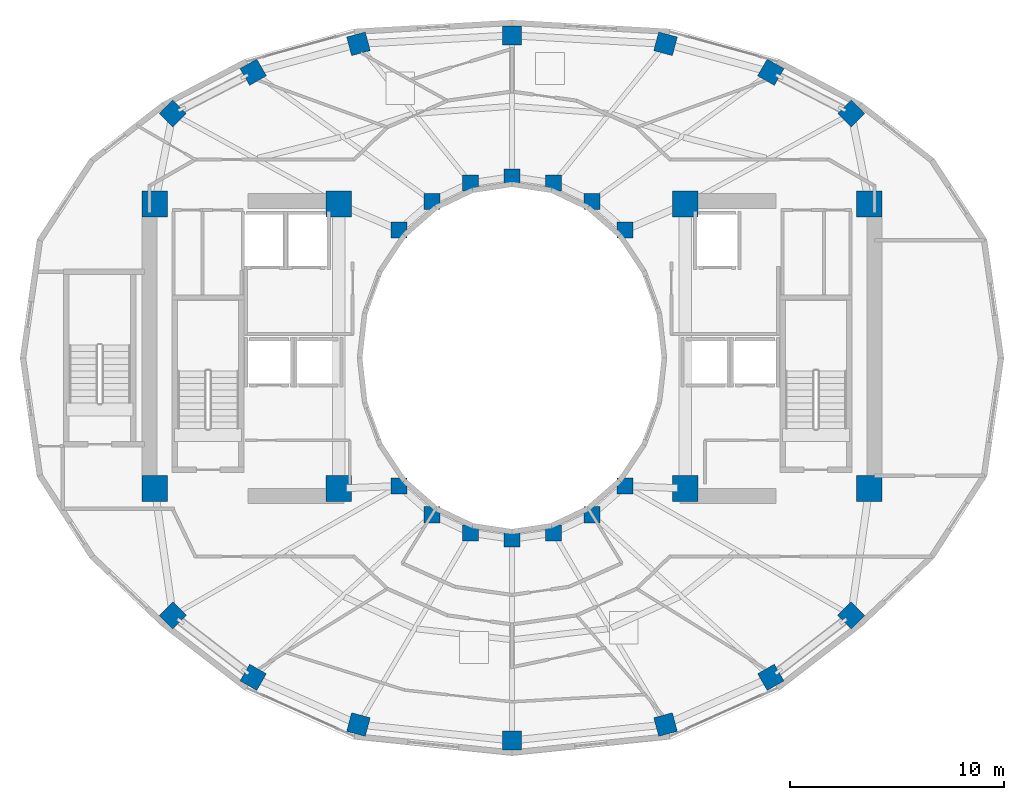
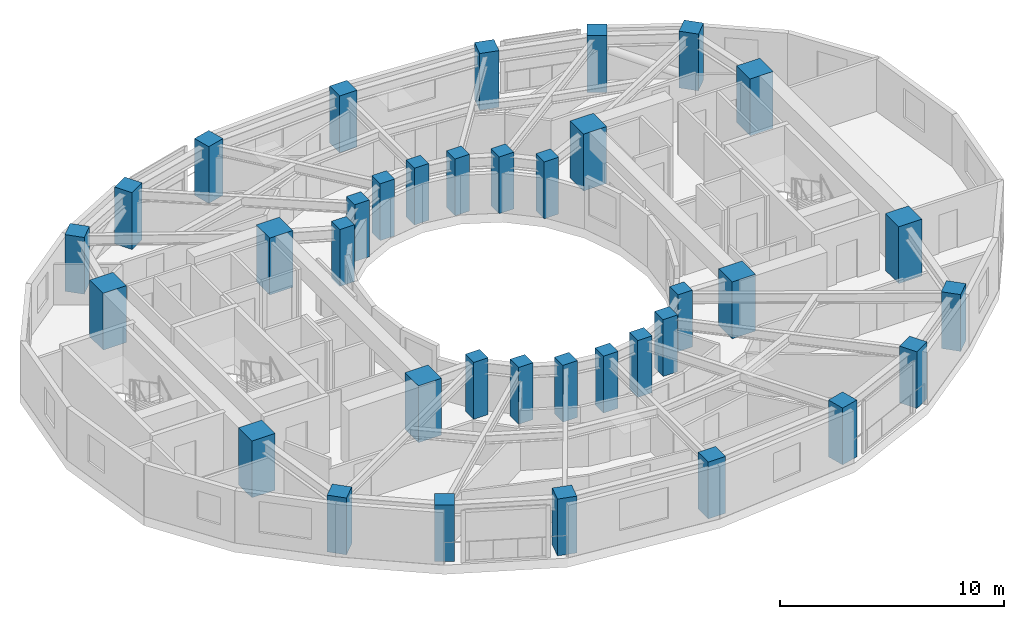
# One storey, part 1 of 17: 36 columns.
"""IFC4 building model written with IfcOpenShell, lengths in metres."""

from ifc_helpers import new_model, si_unit, direction, frame, origin, origin_2d, place, context, subcontext, project, spatial, rectangle, extrude, material, material_profile, profile_set, type_object, element, save


model = new_model("IFC4")

# Units and contexts
model_context = context("Model", 3, precision=1e-05, world=origin(), true_north=direction((0.0, 1.0)))
body_context = subcontext(model_context, "Body", "Model", "MODEL_VIEW")
ifc_project = project(units=[si_unit("LENGTHUNIT", "METRE"), si_unit("AREAUNIT", "SQUARE_METRE"), si_unit("VOLUMEUNIT", "CUBIC_METRE"), si_unit("PLANEANGLEUNIT", "RADIAN"), si_unit("MASSUNIT", "GRAM", prefix="KILO")], contexts=[model_context])

# Site, building, storey
site_placement = place(None, origin())
site = spatial("IfcSite", under=ifc_project, at=site_placement, CompositionType="ELEMENT")
building_placement = place(site_placement, origin())
building = spatial("IfcBuilding", under=site, at=building_placement, Name="Solvane Sanctuary Tower", CompositionType="ELEMENT")
storey_placement = place(building_placement, frame((0.0, 0.0, 171.5)))
storey = spatial("IfcBuildingStorey", under=building, at=storey_placement, Name="L52", CompositionType="ELEMENT", Elevation=171.5)

# Columns
ifc_material_1 = material(Name="Concrete C50/60", Category="concrete")
ifc_material_profile_1 = material_profile(ifc_material_1, rectangle(XDim=0.75, YDim=0.75, at=origin_2d()), Name="RC750X750")
ifc_profile_set_1 = profile_set([ifc_material_profile_1], Name="Concrete C50/60")
column_type_1 = type_object("IfcColumnType", Name="Column C-RING-Z3 RC750X750", PredefinedType="COLUMN", material=ifc_profile_set_1)
for number, where, z_axis, x_axis, name in (
    (1, (37.27490234375, 28.982177734375, 0.0), (0.0, 0.0, 1.0), (1.0, 0.0, 0.0), "L52 Inner Light-Well Ring Column IC01"),
    (2, (35.72998046875, 30.32666015625, 0.0), (0.0, 0.0, 1.0), (1.0, 0.0, 0.0), "L52 Inner Light-Well Ring Column IC02"),
    (3, (33.930908203125, 31.171630859375, 0.0), (0.0, 0.0, 1.0), (1.0, 0.0, 0.0), "L52 Inner Light-Well Ring Column IC03"),
    (4, (32.0, 31.4599609375, 0.0), (0.0, 0.0, 1.0), (1.0, 0.0, 0.0), "L52 Inner Light-Well Ring Column IC04"),
    (5, (30.069091796875, 31.171630859375, 0.0), (0.0, 0.0, 1.0), (1.0, 0.0, 0.0), "L52 Inner Light-Well Ring Column IC05"),
    (6, (28.27001953125, 30.32666015625, 0.0), (0.0, 0.0, 1.0), (1.0, 0.0, 0.0), "L52 Inner Light-Well Ring Column IC06"),
    (7, (26.72509765625, 28.982177734375, 0.0), (0.0, 0.0, 1.0), (1.0, 0.0, 0.0), "L52 Inner Light-Well Ring Column IC07"),
    (8, (26.72509765625, 17.017822265625, 0.0), (0.0, 0.0, 1.0), (1.0, 0.0, 0.0), "L52 Inner Light-Well Ring Column IC08"),
    (9, (28.27001953125, 15.67333984375, 0.0), (0.0, 0.0, 1.0), (1.0, 0.0, 0.0), "L52 Inner Light-Well Ring Column IC09"),
    (10, (30.069091796875, 14.828369140625, 0.0), (0.0, 0.0, 1.0), (1.0, 0.0, 0.0), "L52 Inner Light-Well Ring Column IC10"),
    (11, (32.0, 14.5400390625, 0.0), (0.0, 0.0, 1.0), (1.0, 0.0, 0.0), "L52 Inner Light-Well Ring Column IC11"),
    (12, (33.930908203125, 14.828369140625, 0.0), (0.0, 0.0, 1.0), (1.0, 0.0, 0.0), "L52 Inner Light-Well Ring Column IC12"),
    (13, (35.72998046875, 15.67333984375, 0.0), (0.0, 0.0, 1.0), (1.0, 0.0, 0.0), "L52 Inner Light-Well Ring Column IC13"),
    (14, (37.27490234375, 17.017822265625, 0.0), (0.0, 0.0, 1.0), (1.0, 0.0, 0.0), "L52 Inner Light-Well Ring Column IC14"),
):
    element("IfcColumn", number, at=place(storey_placement, frame(where, z_axis=z_axis, x_axis=x_axis)), inside=storey, type_object=column_type_1, Name=name, PredefinedType="COLUMN", context=body_context, shape_type="SweptSolid", body=[
        extrude(rectangle(XDim=0.75, YDim=0.75, at=origin_2d()), origin(), (0.0, 0.0, 1.0), 3.10009765625),
    ])
ifc_material_2 = material(Name="Concrete C70/85", Category="concrete")
ifc_material_profile_2 = material_profile(ifc_material_2, rectangle(XDim=1.199951171875, YDim=1.199951171875, at=origin_2d()), Name="RC1200X1200")
ifc_profile_set_2 = profile_set([ifc_material_profile_2], Name="Concrete C70/85")
column_type_2 = type_object("IfcColumnType", Name="Column C-TUBE-Z1 RC1200X1200", PredefinedType="COLUMN", material=ifc_profile_set_2)
for number, where, z_axis, x_axis, name in (
    (15, (15.300048828125, 16.89990234375, 0.0), (0.0, 0.0, 1.0), (1.0, 0.0, 0.0), "L52 Core Corner Column CW1"),
    (16, (23.89990234375, 16.89990234375, 0.0), (0.0, 0.0, 1.0), (1.0, 0.0, 0.0), "L52 Core Corner Column CW2"),
    (17, (23.89990234375, 30.199951171875, 0.0), (0.0, 0.0, 1.0), (1.0, 0.0, 0.0), "L52 Core Corner Column CW3"),
    (18, (15.300048828125, 30.199951171875, 0.0), (0.0, 0.0, 1.0), (1.0, 0.0, 0.0), "L52 Core Corner Column CW4"),
    (19, (40.10009765625, 16.89990234375, 0.0), (0.0, 0.0, 1.0), (1.0, 0.0, 0.0), "L52 Core Corner Column CE1"),
    (20, (48.699951171875, 16.89990234375, 0.0), (0.0, 0.0, 1.0), (1.0, 0.0, 0.0), "L52 Core Corner Column CE2"),
    (21, (48.699951171875, 30.199951171875, 0.0), (0.0, 0.0, 1.0), (1.0, 0.0, 0.0), "L52 Core Corner Column CE3"),
    (22, (40.10009765625, 30.199951171875, 0.0), (0.0, 0.0, 1.0), (1.0, 0.0, 0.0), "L52 Core Corner Column CE4"),
):
    element("IfcColumn", number, at=place(storey_placement, frame(where, z_axis=z_axis, x_axis=x_axis)), inside=storey, type_object=column_type_2, Name=name, PredefinedType="COLUMN", context=body_context, shape_type="SweptSolid", body=[
        extrude(rectangle(XDim=1.199951171875, YDim=1.199951171875, at=origin_2d()), origin(), (0.0, 0.0, 1.0), 3.10009765625),
    ])
ifc_material_3 = material(Name="Concrete C60/75", Category="concrete")
ifc_material_profile_3 = material_profile(ifc_material_3, rectangle(XDim=0.89990234375, YDim=0.89990234375, at=origin_2d()), Name="RC900X900")
ifc_profile_set_3 = profile_set([ifc_material_profile_3], Name="Concrete C60/75")
column_type_3 = type_object("IfcColumnType", Name="Column C-TUBE-Z3 RC900X900", PredefinedType="COLUMN", material=ifc_profile_set_3)
for number, where, z_axis, x_axis, name in (
    (23, (47.856689453125, 34.426513671875, 0.0), (0.0, 0.0, 1.0), (0.707106781187, 0.707106781187, 0.0), "L52 Perimeter Tube Column TC01"),
    (24, (44.09814453125, 36.359375, 0.0), (0.0, 0.0, 1.0), (0.5, 0.866025403784, 0.0), "L52 Perimeter Tube Column TC02"),
    (25, (39.17822265625, 37.686767578125, 0.0), (0.0, 0.0, 1.0), (0.258819045103, 0.965925826289, 0.0), "L52 Perimeter Tube Column TC03"),
    (26, (32.0, 38.080078125, 0.0), (0.0, 0.0, 1.0), (0.0, 1.0, 0.0), "L52 Perimeter Tube Column TC04"),
    (27, (24.82177734375, 37.686767578125, 0.0), (0.0, 0.0, 1.0), (-0.258819045103, 0.965925826289, 0.0), "L52 Perimeter Tube Column TC05"),
    (28, (19.90185546875, 36.359375, 0.0), (0.0, 0.0, 1.0), (-0.5, 0.866025403784, 0.0), "L52 Perimeter Tube Column TC06"),
    (29, (16.143310546875, 34.426513671875, 0.0), (0.0, 0.0, 1.0), (-0.707106781187, 0.707106781187, 0.0), "L52 Perimeter Tube Column TC07"),
    (30, (16.143310546875, 10.968994140625, 0.0), (0.0, 0.0, 1.0), (-0.707106781187, -0.707106781187, 0.0), "L52 Perimeter Tube Column TC08"),
    (31, (19.90185546875, 8.072021484375, 0.0), (0.0, 0.0, 1.0), (-0.5, -0.866025403784, 0.0), "L52 Perimeter Tube Column TC09"),
    (32, (24.82177734375, 5.865478515625, 0.0), (0.0, 0.0, 1.0), (-0.258819045103, -0.965925826289, 0.0), "L52 Perimeter Tube Column TC10"),
    (33, (32.0, 5.1201171875, 0.0), (0.0, 0.0, 1.0), (0.0, -1.0, 0.0), "L52 Perimeter Tube Column TC11"),
    (34, (39.17822265625, 5.865478515625, 0.0), (0.0, 0.0, 1.0), (0.258819045103, -0.965925826289, 0.0), "L52 Perimeter Tube Column TC12"),
    (35, (44.09814453125, 8.072021484375, 0.0), (0.0, 0.0, 1.0), (0.5, -0.866025403784, 0.0), "L52 Perimeter Tube Column TC13"),
    (36, (47.856689453125, 10.968994140625, 0.0), (0.0, 0.0, 1.0), (0.707106781187, -0.707106781187, 0.0), "L52 Perimeter Tube Column TC14"),
):
    element("IfcColumn", number, at=place(storey_placement, frame(where, z_axis=z_axis, x_axis=x_axis)), inside=storey, type_object=column_type_3, Name=name, PredefinedType="COLUMN", context=body_context, shape_type="SweptSolid", body=[
        extrude(rectangle(XDim=0.89990234375, YDim=0.89990234375, at=origin_2d()), origin(), (0.0, 0.0, 1.0), 3.10009765625),
    ])

save(model, "model.ifc")
